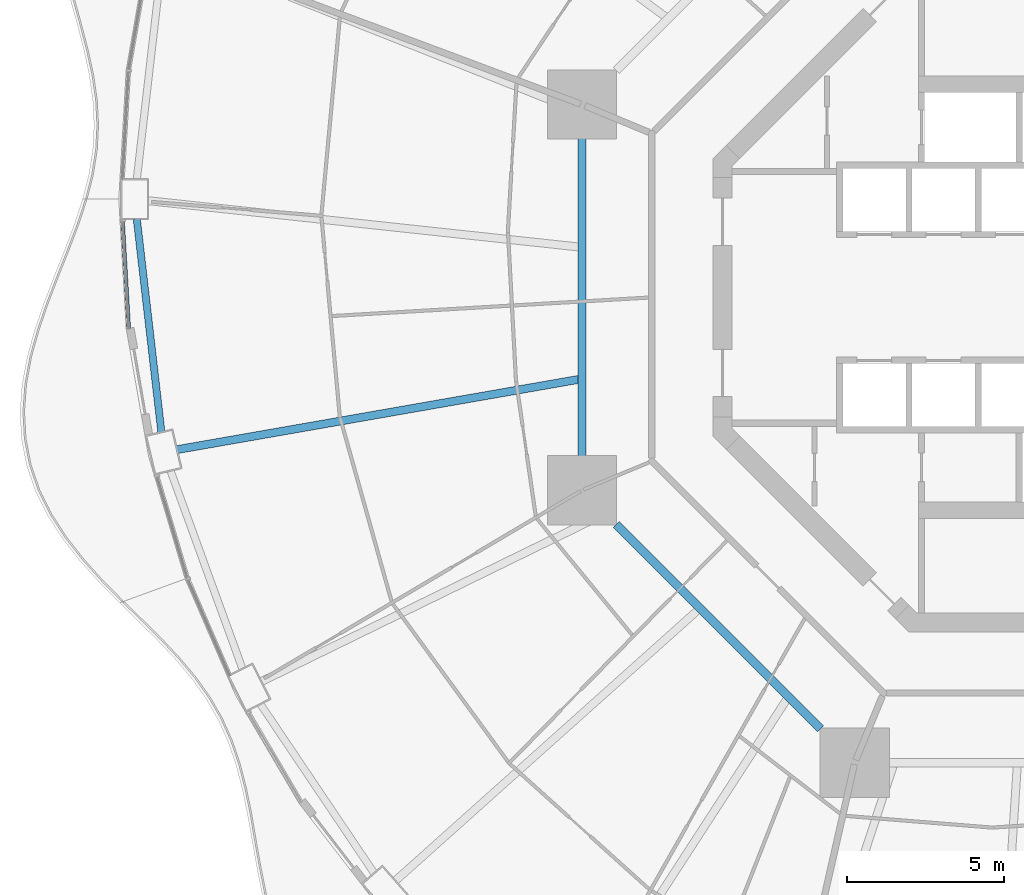
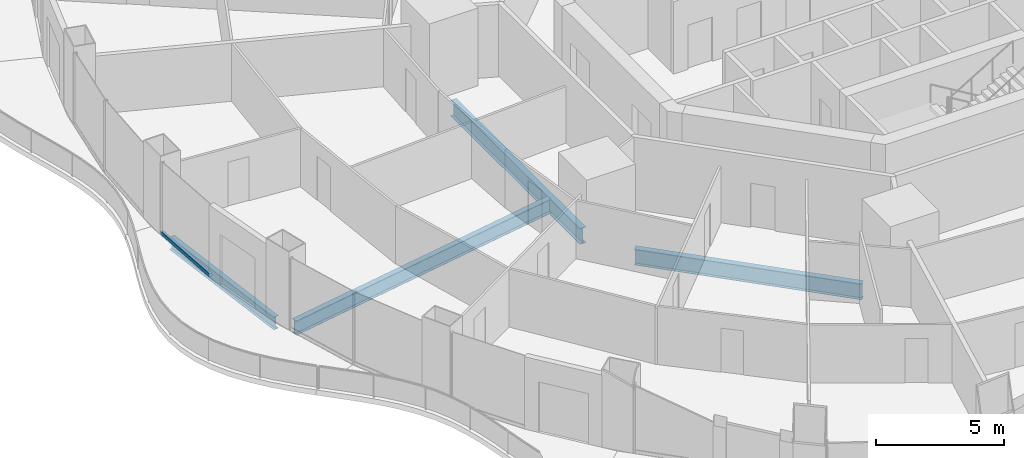
# One storey, part 4 of 22: 4 beams, 1 member, 1 element without a shape of its own.
"""IFC4 building model written with IfcOpenShell, lengths in metres."""

from ifc_helpers import new_model, si_unit, direction, frame, origin, origin_2d, place, context, subcontext, project, spatial, rectangle, i_section, extrude, material, layer, layer_set, material_profile, profile_set, type_object, element, aggregate, save


model = new_model("IFC4")

# Units and contexts
model_context = context("Model", 3, precision=1e-05, world=origin(), true_north=direction((0.0, 1.0)))
body_context = subcontext(model_context, "Body", "Model", "MODEL_VIEW")
ifc_project = project(units=[si_unit("LENGTHUNIT", "METRE"), si_unit("AREAUNIT", "SQUARE_METRE"), si_unit("VOLUMEUNIT", "CUBIC_METRE"), si_unit("PLANEANGLEUNIT", "RADIAN"), si_unit("MASSUNIT", "GRAM", prefix="KILO")], contexts=[model_context])

# Site, building, storey
site_placement = place(None, origin())
site = spatial("IfcSite", under=ifc_project, at=site_placement, CompositionType="ELEMENT")
building_placement = place(site_placement, origin())
building = spatial("IfcBuilding", under=site, at=building_placement, Name="Nagisa Residences", CompositionType="ELEMENT")
storey_placement = place(building_placement, frame((0.0, 0.0, 99.199951171875)))
storey = spatial("IfcBuildingStorey", under=building, at=storey_placement, Name="L24", CompositionType="ELEMENT", Elevation=99.199951171875)

# Curtain wall, member
ifc_material_1 = material(Name="Concrete-coloured aluminium curtain wall system", Category="concrete")
ifc_layer = layer(ifc_material_1, 0.159912109375)
ifc_layer_set = layer_set([ifc_layer], Name="CW1 CURTAIN WALL")
curtain_wall_type = type_object("IfcCurtainWallType", Name="CW1 CURTAIN WALL", PredefinedType="NOTDEFINED", material=ifc_layer_set)
curtain_wall_placement = place(storey_placement, origin())
curtain_wall = element("IfcCurtainWall", 1, at=curtain_wall_placement, inside=storey, type_object=curtain_wall_type, Name="cw:CW1:L24:24", PredefinedType="NOTDEFINED")
ifc_material_2 = material(Name="Concrete-coloured aluminium", Category="concrete")
ifc_material_profile_1 = material_profile(ifc_material_2, rectangle(XDim=0.1201171875, YDim=0.14990234375, at=origin_2d()), Name="CW1 TRANSOM 120x150")
ifc_profile_set_1 = profile_set([ifc_material_profile_1], Name="Concrete-coloured aluminium")
member_type = type_object("IfcMemberType", Name="CW1 TRANSOM 120x150", PredefinedType="USERDEFINED", material=ifc_profile_set_1)
member_placement = place(storey_placement, frame((-29.377685546875, 2.473388671875, 0.074951171875), z_axis=(0.057476526179, -0.99834685803, 0.0), x_axis=(0.99834685803, 0.057476526179, 0.0)))
member = element("IfcMember", 2, at=member_placement, type_object=member_type, Name="CW1 transom", ObjectType="TRANSOM", PredefinedType="USERDEFINED", context=body_context, shape_type="SweptSolid", body=[
    extrude(rectangle(XDim=0.1201171875, YDim=0.14990234375, at=origin_2d()), origin(), (0.0, 0.0, 1.0), 3.47021484375),
])
aggregate(curtain_wall, [member])

# Beams
ifc_material_3 = material(Name="Steel ASTM A572 Gr 50", Category="steel")
ifc_material_profile_2 = material_profile(ifc_material_3, i_section(OverallWidth=0.264892578125, OverallDepth=0.7529296875, WebThickness=0.01318359375, FlangeThickness=0.01708984375, at=origin_2d()), Name="W760x147")
ifc_profile_set_2 = profile_set([ifc_material_profile_2], Name="Steel ASTM A572 Gr 50")
beam_type_1 = type_object("IfcBeamType", Name="Inner ring beam W760x147", PredefinedType="BEAM", material=ifc_profile_set_2)
beam_1_placement = place(storey_placement, frame((-14.781982421875, 5.04296875, -0.636474609375), z_axis=(0.0, -1.0, 0.0), x_axis=(1.0, 0.0, 0.0)))
element("IfcBeam", 3, at=beam_1_placement, inside=storey, type_object=beam_type_1, Name="beam:L24:ib4", PredefinedType="BEAM", context=body_context, shape_type="SweptSolid", body=[
    extrude(i_section(OverallWidth=0.264892578125, OverallDepth=0.7529296875, WebThickness=0.01318359375, FlangeThickness=0.01708984375, at=origin_2d()), origin(), (0.0, 0.0, 1.0), 10.0859375),
])
beam_2_placement = place(storey_placement, frame((-13.6962890625, -7.208740234375, -0.636474609375), z_axis=(0.707106781187, -0.707106781187, 0.0), x_axis=(0.707106781187, 0.707106781187, 0.0)))
element("IfcBeam", 4, at=beam_2_placement, inside=storey, type_object=beam_type_1, Name="beam:L24:ib5", PredefinedType="BEAM", context=body_context, shape_type="SweptSolid", body=[
    extrude(i_section(OverallWidth=0.264892578125, OverallDepth=0.7529296875, WebThickness=0.01318359375, FlangeThickness=0.01708984375, at=origin_2d()), origin(), (0.0, 0.0, 1.0), 9.1748046875),
])
ifc_material_4 = material(Name="Steel ASTM A572 Gr 50", Category="steel")
ifc_material_profile_3 = material_profile(ifc_material_4, i_section(OverallWidth=0.22802734375, OverallDepth=0.60302734375, WebThickness=0.010498046875, FlangeThickness=0.014892578125, at=origin_2d()), Name="W610x101")
ifc_profile_set_3 = profile_set([ifc_material_profile_3], Name="Steel ASTM A572 Gr 50")
beam_type_2 = type_object("IfcBeamType", Name="Perimeter ring beam W610x101", PredefinedType="BEAM", material=ifc_profile_set_3)
beam_3_placement = place(storey_placement, frame((-28.92236328125, 2.487548828125, -0.5615234375), z_axis=(0.114690766503, -0.993401242237, 0.0), x_axis=(0.993401242237, 0.114690766503, 0.0)))
element("IfcBeam", 5, at=beam_3_placement, inside=storey, type_object=beam_type_2, Name="beam:L24:pb13", PredefinedType="BEAM", context=body_context, shape_type="SweptSolid", body=[
    extrude(i_section(OverallWidth=0.22802734375, OverallDepth=0.60302734375, WebThickness=0.010498046875, FlangeThickness=0.014892578125, at=origin_2d()), origin(), (0.0, 0.0, 1.0), 6.811767578125),
])
ifc_material_5 = material(Name="Steel ASTM A572 Gr 50", Category="steel")
ifc_material_profile_4 = material_profile(ifc_material_5, i_section(OverallWidth=0.2529296875, OverallDepth=0.677978515625, WebThickness=0.01171875, FlangeThickness=0.016357421875, at=origin_2d()), Name="W690x125")
ifc_profile_set_4 = profile_set([ifc_material_profile_4], Name="Steel ASTM A572 Gr 50")
beam_type_3 = type_object("IfcBeamType", Name="Radial beam W690x125", PredefinedType="BEAM", material=ifc_profile_set_4)
beam_4_placement = place(storey_placement, frame((-27.64404296875, -4.83544921875, -0.598876953125), z_axis=(0.985042235616, 0.172313069883, 0.0), x_axis=(-0.172313069883, 0.985042235616, 0.0)))
element("IfcBeam", 6, at=beam_4_placement, inside=storey, type_object=beam_type_3, Name="beam:L24:rb14", PredefinedType="BEAM", context=body_context, shape_type="SweptSolid", body=[
    extrude(i_section(OverallWidth=0.2529296875, OverallDepth=0.677978515625, WebThickness=0.01171875, FlangeThickness=0.016357421875, at=origin_2d()), origin(), (0.0, 0.0, 1.0), 12.94287109375),
])

save(model, "model.ifc")
